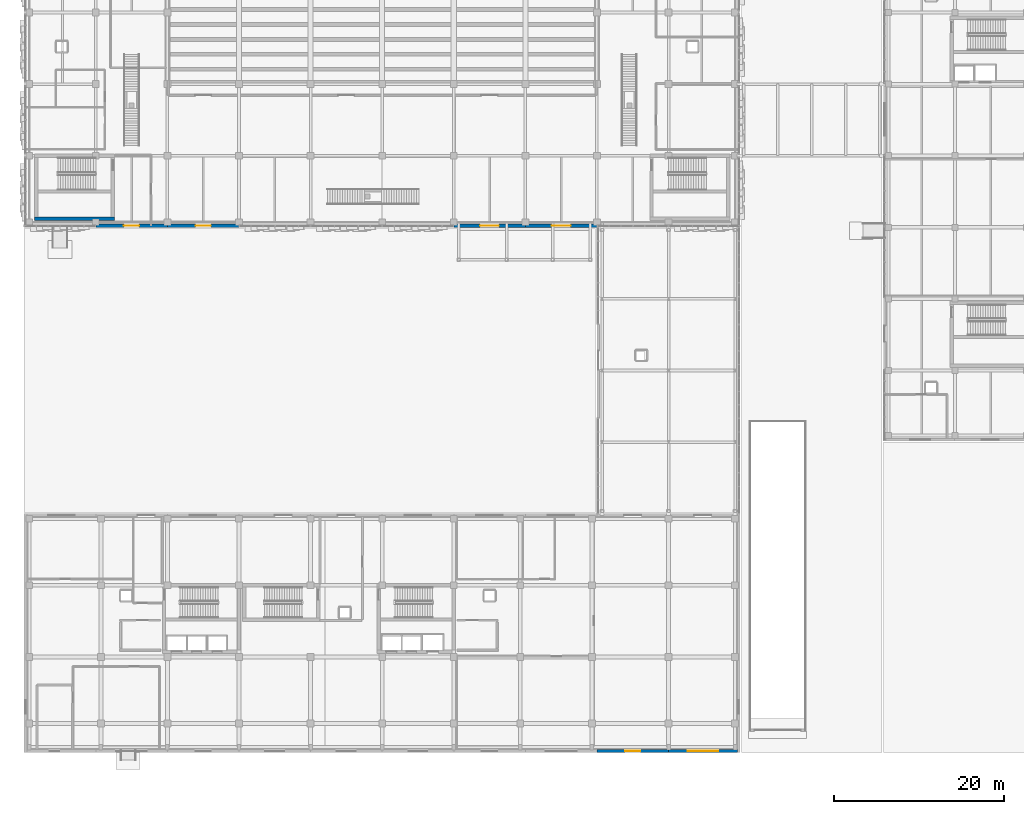
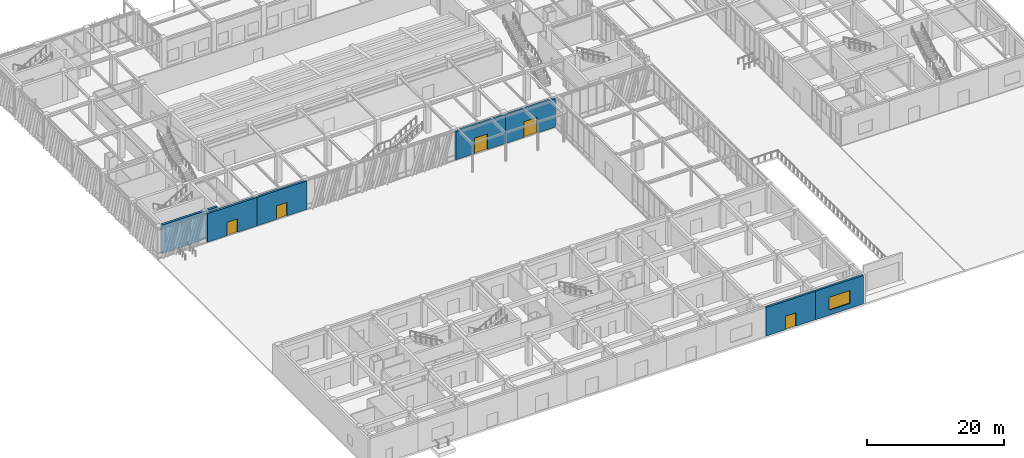
# One storey, part 94 of 122: 7 walls, 5 doors, 1 window, 6 openings.
"""IFC4 building model written with IfcOpenShell, lengths in metres."""

from ifc_helpers import new_model, si_unit, direction, frame, frame_2d, origin, place, context, subcontext, project, spatial, rectangle, extrude, material, layer, layer_set, type_object, element, fill, save


model = new_model("IFC4")

# Units and contexts
model_context = context("Model", 3, precision=1e-05, world=origin(), true_north=direction((0.0, 1.0)))
body_context = subcontext(model_context, "Body", "Model", "MODEL_VIEW")
ifc_project = project(units=[si_unit("LENGTHUNIT", "METRE"), si_unit("AREAUNIT", "SQUARE_METRE"), si_unit("VOLUMEUNIT", "CUBIC_METRE"), si_unit("PLANEANGLEUNIT", "RADIAN"), si_unit("MASSUNIT", "GRAM", prefix="KILO")], contexts=[model_context])

# Site, building, storey
site_placement = place(None, origin())
site = spatial("IfcSite", under=ifc_project, at=site_placement, CompositionType="ELEMENT")
building_placement = place(site_placement, origin())
building = spatial("IfcBuilding", under=site, at=building_placement, Name="Zayran Congress Hotel", CompositionType="ELEMENT")
storey_placement = place(building_placement, origin())
storey = spatial("IfcBuildingStorey", under=building, at=storey_placement, Name="L00", CompositionType="ELEMENT", Elevation=0.0)

# Wall, opening, door
ifc_material_1 = material(Name="Hajar Ma'ani limestone and insulated concrete C32/40", Category="masonry")
ifc_layer_1 = layer(ifc_material_1, 0.360107421875)
ifc_layer_set_1 = layer_set([ifc_layer_1], Name="Hajar Ma'ani limestone and insulated concrete C32/40")
wall_type_1 = type_object("IfcWallType", Name="WL-EX-360", PredefinedType="SOLIDWALL", material=ifc_layer_set_1)
wall_1_placement = place(storey_placement, frame((25.199951171875, 67.780029296875, 0.0), z_axis=(0.0, 0.0, 1.0), x_axis=(-1.0, 0.0, 0.0)))
wall_1 = element("IfcWall", 1, at=wall_1_placement, inside=storey, type_object=wall_type_1, Name="EW-V1-S-L00-1", PredefinedType="SOLIDWALL", context=body_context, shape_type="SweptSolid", body=[
    extrude(rectangle(XDim=8.39990234375, YDim=0.360107421875, at=frame_2d((4.199951171875, 0.0))), origin(), (0.0, 0.0, 1.0), 5.080078125),
])
opening_1_placement = place(wall_1_placement, frame((3.300048828125, 0.0, 0.0)))
opening_1 = element("IfcOpeningElement", 2, at=opening_1_placement, cuts=wall_1, Name="Opening DEX-03", PredefinedType="OPENING", context=body_context, shape_type="SweptSolid", body=[
    extrude(rectangle(XDim=1.800048828125, YDim=2.39990234375, at=frame_2d((0.89990234375, 1.199951171875))), frame((0.0, 0.18994140625, 0.0), z_axis=(0.0, -1.0, 0.0), x_axis=(1.0, 0.0, 0.0)), (0.0, 0.0, 1.0), 0.380126953125),
])
ifc_material_2 = material(Name="Painted steel fire exit door assembly", Category="steel")
door_type_1 = type_object("IfcDoorType", Name="TP-DEX-03", OperationType="DOUBLE_DOOR_SINGLE_SWING", PredefinedType="DOOR", material=ifc_material_2)
door_1_placement = place(opening_1_placement, origin())
door_1 = element("IfcDoor", 3, at=door_1_placement, inside=storey, type_object=door_type_1, Name="Congress Foyer Final Exit Door 1", OperationType="DOUBLE_DOOR_SINGLE_SWING", OverallHeight=2.39990234375, OverallWidth=1.800048828125, PredefinedType="DOOR", context=body_context, shape_type="SweptSolid", body=[
    extrude(rectangle(XDim=1.800048828125, YDim=2.39990234375, at=frame_2d((0.89990234375, 1.199951171875))), frame((0.0, 0.02490234375, 0.0), z_axis=(0.0, -1.0, 0.0), x_axis=(1.0, 0.0, 0.0)), (0.0, 0.0, 1.0), 0.050048828125),
])
fill(opening_1, door_1)

wall_2_placement = place(storey_placement, frame((33.60009765625, 67.780029296875, 0.0), z_axis=(0.0, 0.0, 1.0), x_axis=(-1.0, 0.0, 0.0)))
wall_2 = element("IfcWall", 4, at=wall_2_placement, inside=storey, type_object=wall_type_1, Name="EW-V1-S-L00-2", PredefinedType="SOLIDWALL", context=body_context, shape_type="SweptSolid", body=[
    extrude(rectangle(XDim=8.400146484375, YDim=0.360107421875, at=frame_2d((4.2001953125, 0.0))), origin(), (0.0, 0.0, 1.0), 5.080078125),
])
opening_2_placement = place(wall_2_placement, frame((3.300048828125, 0.0, 0.0)))
opening_2 = element("IfcOpeningElement", 5, at=opening_2_placement, cuts=wall_2, Name="Opening DEX-03", PredefinedType="OPENING", context=body_context, shape_type="SweptSolid", body=[
    extrude(rectangle(XDim=1.800048828125, YDim=2.39990234375, at=frame_2d((0.89990234375, 1.199951171875))), frame((0.0, 0.18994140625, 0.0), z_axis=(0.0, -1.0, 0.0), x_axis=(1.0, 0.0, 0.0)), (0.0, 0.0, 1.0), 0.380126953125),
])
door_2_placement = place(opening_2_placement, origin())
door_2 = element("IfcDoor", 6, at=door_2_placement, inside=storey, type_object=door_type_1, Name="Congress Foyer Final Exit Door 2", OperationType="DOUBLE_DOOR_SINGLE_SWING", OverallHeight=2.39990234375, OverallWidth=1.800048828125, PredefinedType="DOOR", context=body_context, shape_type="SweptSolid", body=[
    extrude(rectangle(XDim=1.800048828125, YDim=2.39990234375, at=frame_2d((0.89990234375, 1.199951171875))), frame((0.0, 0.02490234375, 0.0), z_axis=(0.0, -1.0, 0.0), x_axis=(1.0, 0.0, 0.0)), (0.0, 0.0, 1.0), 0.050048828125),
])
fill(opening_2, door_2)

wall_3_placement = place(storey_placement, frame((67.199951171875, 67.780029296875, 0.0), z_axis=(0.0, 0.0, 1.0), x_axis=(-1.0, 0.0, 0.0)))
wall_3 = element("IfcWall", 7, at=wall_3_placement, inside=storey, type_object=wall_type_1, Name="EW-V1-S-L00-6", PredefinedType="SOLIDWALL", context=body_context, shape_type="SweptSolid", body=[
    extrude(rectangle(XDim=8.39990234375, YDim=0.360107421875, at=frame_2d((4.199951171875, 0.0))), origin(), (0.0, 0.0, 1.0), 5.080078125),
])
opening_3_placement = place(wall_3_placement, frame((3.10009765625, 0.0, 0.0)))
opening_3 = element("IfcOpeningElement", 8, at=opening_3_placement, cuts=wall_3, Name="Opening DEX-01", PredefinedType="OPENING", context=body_context, shape_type="SweptSolid", body=[
    extrude(rectangle(XDim=2.199951171875, YDim=2.800048828125, at=frame_2d((1.10009765625, 1.39990234375))), frame((0.0, 0.18994140625, 0.0), z_axis=(0.0, -1.0, 0.0), x_axis=(1.0, 0.0, 0.0)), (0.0, 0.0, 1.0), 0.380126953125),
])
ifc_material_3 = material(Name="Anodised aluminium glazed entrance door", Category="aluminium")
door_type_2 = type_object("IfcDoorType", Name="TP-DEX-01", OperationType="DOUBLE_DOOR_SINGLE_SWING", PredefinedType="DOOR", material=ifc_material_3)
door_3_placement = place(opening_3_placement, origin())
door_3 = element("IfcDoor", 9, at=door_3_placement, inside=storey, type_object=door_type_2, Name="Congress Foyer Final Exit Door 3", OperationType="DOUBLE_DOOR_SINGLE_SWING", OverallHeight=2.800048828125, OverallWidth=2.199951171875, PredefinedType="DOOR", context=body_context, shape_type="SweptSolid", body=[
    extrude(rectangle(XDim=2.199951171875, YDim=2.800048828125, at=frame_2d((1.10009765625, 1.39990234375))), frame((0.0, 0.02490234375, 0.0), z_axis=(0.0, -1.0, 0.0), x_axis=(1.0, 0.0, 0.0)), (0.0, 0.0, 1.0), 0.050048828125),
])
fill(opening_3, door_3)

wall_4_placement = place(storey_placement, frame((75.60009765625, 67.780029296875, 0.0), z_axis=(0.0, 0.0, 1.0), x_axis=(-1.0, 0.0, 0.0)))
wall_4 = element("IfcWall", 10, at=wall_4_placement, inside=storey, type_object=wall_type_1, Name="EW-V1-S-L00-7", PredefinedType="SOLIDWALL", context=body_context, shape_type="SweptSolid", body=[
    extrude(rectangle(XDim=8.400146484375, YDim=0.360107421875, at=frame_2d((4.2001953125, 0.0))), origin(), (0.0, 0.0, 1.0), 5.080078125),
])
opening_4_placement = place(wall_4_placement, frame((3.10009765625, 0.0, 0.0)))
opening_4 = element("IfcOpeningElement", 11, at=opening_4_placement, cuts=wall_4, Name="Opening DEX-01", PredefinedType="OPENING", context=body_context, shape_type="SweptSolid", body=[
    extrude(rectangle(XDim=2.199951171875, YDim=2.800048828125, at=frame_2d((1.10009765625, 1.39990234375))), frame((0.0, 0.18994140625, 0.0), z_axis=(0.0, -1.0, 0.0), x_axis=(1.0, 0.0, 0.0)), (0.0, 0.0, 1.0), 0.380126953125),
])
door_4_placement = place(opening_4_placement, origin())
door_4 = element("IfcDoor", 12, at=door_4_placement, inside=storey, type_object=door_type_2, Name="Congress Foyer Final Exit Door 4", OperationType="DOUBLE_DOOR_SINGLE_SWING", OverallHeight=2.800048828125, OverallWidth=2.199951171875, PredefinedType="DOOR", context=body_context, shape_type="SweptSolid", body=[
    extrude(rectangle(XDim=2.199951171875, YDim=2.800048828125, at=frame_2d((1.10009765625, 1.39990234375))), frame((0.0, 0.02490234375, 0.0), z_axis=(0.0, -1.0, 0.0), x_axis=(1.0, 0.0, 0.0)), (0.0, 0.0, 1.0), 0.050048828125),
])
fill(opening_4, door_4)

ifc_layer_2 = layer(ifc_material_1, 0.340087890625)
ifc_layer_set_2 = layer_set([ifc_layer_2], Name="Hajar Ma'ani limestone and insulated concrete C32/40")
wall_type_2 = type_object("IfcWallType", Name="WL-EX-340", PredefinedType="SOLIDWALL", material=ifc_layer_set_2)
wall_5_placement = place(storey_placement, frame((84.0, 6.169921875, 0.0), z_axis=(0.0, 0.0, 1.0), x_axis=(-1.0, 0.0, 0.0)))
wall_5 = element("IfcWall", 13, at=wall_5_placement, inside=storey, type_object=wall_type_2, Name="EW-V5-S-L00-8", PredefinedType="SOLIDWALL", context=body_context, shape_type="SweptSolid", body=[
    extrude(rectangle(XDim=8.39990234375, YDim=0.340087890625, at=frame_2d((4.199951171875, 0.0))), origin(), (0.0, 0.0, 1.0), 5.10009765625),
])
opening_5_placement = place(wall_5_placement, frame((3.300048828125, 0.0, 0.0)))
opening_5 = element("IfcOpeningElement", 14, at=opening_5_placement, cuts=wall_5, Name="Opening DEX-03", PredefinedType="OPENING", context=body_context, shape_type="SweptSolid", body=[
    extrude(rectangle(XDim=1.800048828125, YDim=2.39990234375, at=frame_2d((0.89990234375, 1.199951171875))), frame((0.0, 0.179931640625, 0.0), z_axis=(0.0, -1.0, 0.0), x_axis=(1.0, 0.0, 0.0)), (0.0, 0.0, 1.0), 0.360107421875),
])
door_5_placement = place(opening_5_placement, origin())
door_5 = element("IfcDoor", 15, at=door_5_placement, inside=storey, type_object=door_type_1, Name="Hotel South Avenue Final Exit Door 42", OperationType="DOUBLE_DOOR_SINGLE_SWING", OverallHeight=2.39990234375, OverallWidth=1.800048828125, PredefinedType="DOOR", context=body_context, shape_type="SweptSolid", body=[
    extrude(rectangle(XDim=1.800048828125, YDim=2.39990234375, at=frame_2d((0.89990234375, 1.199951171875))), frame((0.0, 0.02490234375, 0.0), z_axis=(0.0, -1.0, 0.0), x_axis=(1.0, 0.0, 0.0)), (0.0, 0.0, 1.0), 0.050048828125),
])
fill(opening_5, door_5)

# Wall, opening, window
wall_6_placement = place(storey_placement, frame((92.06005859375, 6.169921875, 0.0), z_axis=(0.0, 0.0, 1.0), x_axis=(-1.0, 0.0, 0.0)))
wall_6 = element("IfcWall", 16, at=wall_6_placement, inside=storey, type_object=wall_type_2, Name="EW-V5-S-L00-9", PredefinedType="SOLIDWALL", context=body_context, shape_type="SweptSolid", body=[
    extrude(rectangle(XDim=8.06005859375, YDim=0.340087890625, at=frame_2d((4.030029296875, 0.0))), origin(), (0.0, 0.0, 1.0), 5.10009765625),
])
opening_6_placement = place(wall_6_placement, frame((2.22998046875, 0.0, 0.89990234375)))
opening_6 = element("IfcOpeningElement", 17, at=opening_6_placement, cuts=wall_6, Name="Opening WN-21", PredefinedType="OPENING", context=body_context, shape_type="SweptSolid", body=[
    extrude(rectangle(XDim=3.60009765625, YDim=2.300048828125, at=frame_2d((1.800048828125, 1.14990234375))), frame((0.0, 0.179931640625, 0.0), z_axis=(0.0, -1.0, 0.0), x_axis=(1.0, 0.0, 0.0)), (0.0, 0.0, 1.0), 0.360107421875),
])
ifc_material_4 = material(Name="Anodised aluminium and low-E insulated glass", Category="aluminium")
window_type = type_object("IfcWindowType", Name="TP-WN-21", PartitioningType="TRIPLE_PANEL_VERTICAL", PredefinedType="WINDOW", material=ifc_material_4)
window_placement = place(opening_6_placement, origin())
window = element("IfcWindow", 18, at=window_placement, inside=storey, type_object=window_type, Name="WIN-V5-L00S-9", OverallHeight=2.300048828125, OverallWidth=3.60009765625, PartitioningType="SINGLE_PANEL", PredefinedType="WINDOW", context=body_context, shape_type="SweptSolid", body=[
    extrude(rectangle(XDim=3.60009765625, YDim=2.300048828125, at=frame_2d((1.800048828125, 1.14990234375))), frame((0.0, 0.030029296875, 0.0), z_axis=(0.0, -1.0, 0.0), x_axis=(1.0, 0.0, 0.0)), (0.0, 0.0, 1.0), 0.06005859375),
])
fill(opening_6, window)

# Wall
ifc_material_5 = material(Name="Concrete C40/50", Category="concrete")
ifc_layer_3 = layer(ifc_material_5, 0.39990234375)
ifc_layer_set_3 = layer_set([ifc_layer_3], Name="Concrete C40/50")
wall_type_3 = type_object("IfcWallType", Name="WL-SH-400", PredefinedType="SHEAR", material=ifc_layer_set_3)
wall_7_placement = place(storey_placement, frame((9.60009765625, 68.60009765625, 0.0), z_axis=(0.0, 0.0, 1.0), x_axis=(1.0, 0.0, 0.0)))
element("IfcWall", 19, at=wall_7_placement, inside=storey, type_object=wall_type_3, Name="CWALL-C-V1S-L00-S", PredefinedType="SHEAR", context=body_context, shape_type="SweptSolid", body=[
    extrude(rectangle(XDim=9.39990234375, YDim=0.39990234375, at=frame_2d((4.699951171875, 0.0))), origin(), (0.0, 0.0, 1.0), 5.080078125),
])

save(model, "model.ifc")
